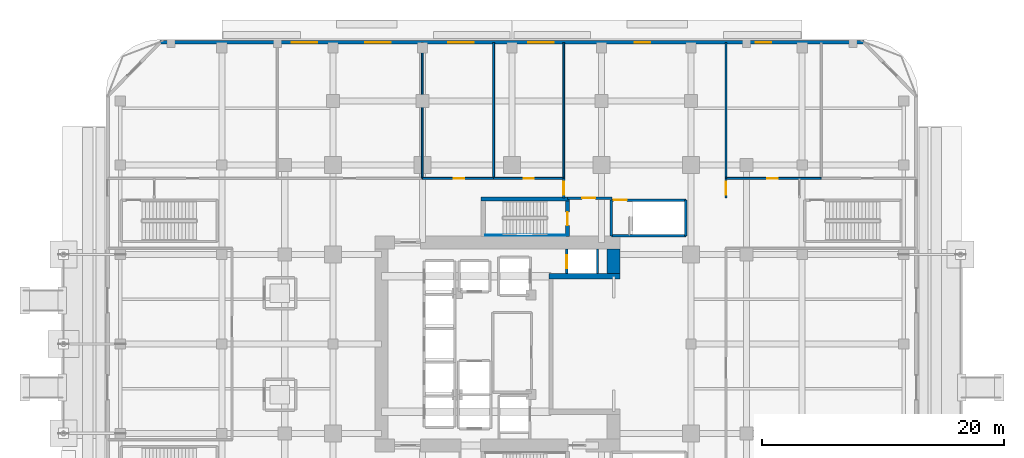
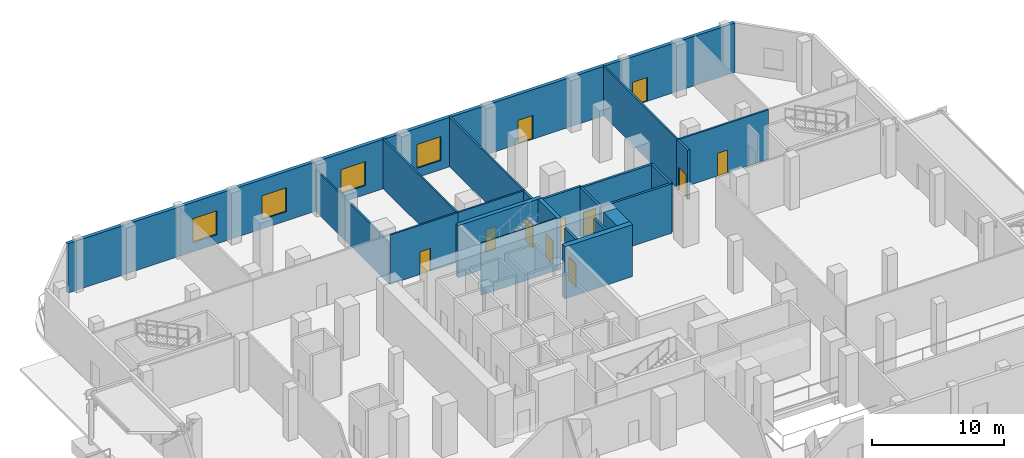
# One storey, part 16 of 24: 22 walls, 11 doors, 4 windows, 15 openings.
"""IFC4 building model written with IfcOpenShell, lengths in metres."""

import ifcopenshell
import ifcopenshell.guid

model = None  # the IFC model being written
_history = None  # IfcOwnerHistory: only IFC2X3 demands one
_inside = {}  # id of a spatial element -> (the spatial element, [elements in it])
_under = {}  # id of a project, library or spatial element -> (it, [spatial elements below it])
_declared = {}  # id of a project -> (the project, [libraries it declares])
_typed = {}  # id of a type object -> (the type object, [elements of that type])
_made_of = {}  # id of a material, layer set ... -> (it, [elements and type objects made of it])


def new_model(schema):
    """Start an empty IFC model of exactly this schema.

    Asked for "IFC4X3", IfcOpenShell would pick the latest addendum, in which some entities
    have other attributes; the version numbers below select the first issue.
    IFC2X3 requires an IfcOwnerHistory on every rooted entity: one is made here for all.
    """
    global model, _history
    if schema == "IFC4X3":
        model = ifcopenshell.file(schema_version=(4, 3, 0, 0))
    else:
        model = ifcopenshell.file(schema=schema)
    _inside.clear()
    _under.clear()
    _declared.clear()
    _typed.clear()
    _made_of.clear()
    _history = None
    if model.schema == "IFC2X3":
        org = make("IfcOrganization", Name="unknown")
        user = make(
            "IfcPersonAndOrganization",
            ThePerson=make("IfcPerson", FamilyName="unknown"),
            TheOrganization=org,
        )
        app = make(
            "IfcApplication",
            ApplicationDeveloper=org,
            Version="unknown",
            ApplicationFullName="unknown",
            ApplicationIdentifier="unknown",
        )
        _history = make(
            "IfcOwnerHistory",
            OwningUser=user,
            OwningApplication=app,
            ChangeAction="ADDED",
            CreationDate=0,
        )
    return model


def make(cls, **values):
    """One entity of the class cls with the attributes given. An attribute that is None is left unset."""
    return model.create_entity(
        cls, **{name: value for name, value in values.items() if value is not None}
    )


def rooted(cls, **values):
    """An entity with a GlobalId (a new one), such as an element, a storey or a relation."""
    return make(cls, GlobalId=ifcopenshell.guid.new(), OwnerHistory=_history, **values)


def si_unit(unit_type, name, prefix=None):
    """IfcSIUnit, for example si_unit("LENGTHUNIT", "METRE", prefix="MILLI")."""
    return make("IfcSIUnit", UnitType=unit_type, Prefix=prefix, Name=name)


def assignment(units):
    """IfcUnitAssignment: the units of a project."""
    return None if units is None else make("IfcUnitAssignment", Units=units)


def point(xyz):
    """IfcCartesianPoint."""
    return None if xyz is None else make("IfcCartesianPoint", Coordinates=xyz)


def direction(xyz):
    """IfcDirection."""
    return None if xyz is None else make("IfcDirection", DirectionRatios=xyz)


def frame(location, z_axis=None, x_axis=None):
    """IfcAxis2Placement3D, a coordinate frame: its origin and axes. An axis left out is left unset."""
    return make(
        "IfcAxis2Placement3D",
        Location=point(location),
        Axis=direction(z_axis),
        RefDirection=direction(x_axis),
    )


def frame_2d(location, x_axis=None):
    """IfcAxis2Placement2D, a coordinate frame in the plane: its origin and x axis."""
    return make(
        "IfcAxis2Placement2D", Location=point(location), RefDirection=direction(x_axis)
    )


def origin():
    """The frame at (0, 0, 0) with its axes left unset."""
    return frame((0.0, 0.0, 0.0))


def place(relative_to, where):
    """IfcLocalPlacement: puts the frame where relative to a parent placement (None: the world)."""
    return make(
        "IfcLocalPlacement", PlacementRelTo=relative_to, RelativePlacement=where
    )


def context(
    kind, dimensions, precision=None, world=None, true_north=None, identifier=None
):
    """IfcGeometricRepresentationContext, for example the 3D "Model" context."""
    return make(
        "IfcGeometricRepresentationContext",
        ContextIdentifier=identifier,
        ContextType=kind,
        CoordinateSpaceDimension=dimensions,
        Precision=precision,
        WorldCoordinateSystem=world,
        TrueNorth=true_north,
    )


def subcontext(parent, identifier, kind, view, scale=None):
    """IfcGeometricRepresentationSubContext, for example "Body" below "Model"."""
    return make(
        "IfcGeometricRepresentationSubContext",
        ContextIdentifier=identifier,
        ContextType=kind,
        ParentContext=parent,
        TargetScale=scale,
        TargetView=view,
    )


def project(units=None, contexts=None):
    """IfcProject with its units and contexts."""
    return rooted(
        "IfcProject",
        Name="project",
        RepresentationContexts=contexts,
        UnitsInContext=assignment(units),
    )


def spatial(cls, under=None, at=None, **own):
    """A site, building, storey or space (cls), placed at a placement, below another one or the project."""
    s = rooted(cls, ObjectPlacement=at, **own)
    if under is not None:
        _under.setdefault(under.id(), (under, []))[1].append(s)
    return s


def profile(cls, at=None, kind="AREA", **sizes):
    """A parametric profile (cls). Its sizes go by their IFC names, for example OverallWidth=200.0."""
    return make(cls, ProfileType=kind, Position=at, **sizes)


def rectangle(**sizes):
    """IfcRectangleProfileDef."""
    return profile("IfcRectangleProfileDef", **sizes)


def extrude(swept, where, along, depth):
    """IfcExtrudedAreaSolid: the profile swept, set in the frame where, extruded along a direction by depth."""
    return make(
        "IfcExtrudedAreaSolid",
        SweptArea=swept,
        Position=where,
        ExtrudedDirection=direction(along),
        Depth=depth,
    )


def shape(context_of_items, identifier, shape_type, items):
    """IfcShapeRepresentation: the items that make up one representation, for example the "Body"."""
    return make(
        "IfcShapeRepresentation",
        ContextOfItems=context_of_items,
        RepresentationIdentifier=identifier,
        RepresentationType=shape_type,
        Items=items,
    )


def material(Name=None, Category=None):
    """IfcMaterial."""
    return make("IfcMaterial", Name=Name, Category=Category)


def layer(
    of_material, thickness, ventilated=None, Name=None, Category=None, Priority=None
):
    """IfcMaterialLayer: one layer of a wall or slab, of a material (None: an air gap)."""
    return make(
        "IfcMaterialLayer",
        Material=of_material,
        LayerThickness=thickness,
        IsVentilated=ventilated,
        Name=Name,
        Category=Category,
        Priority=Priority,
    )


def layer_set(layers, Name=None):
    """IfcMaterialLayerSet."""
    return make("IfcMaterialLayerSet", MaterialLayers=layers, LayerSetName=Name)


def made_of(thing, what):
    """Note that an element or type object is made of a material, layer set ...; save() writes the relation."""
    if what is not None:
        _made_of.setdefault(what.id(), (what, []))[1].append(thing)
    return thing


def type_object(cls, material=None, **own):
    """A type object (cls), such as IfcWallType, which elements share."""
    return made_of(rooted(cls, **own), material)


def element(
    cls,
    number,
    at=None,
    inside=None,
    cuts=None,
    type_object=None,
    material=None,
    context=None,
    identifier="Body",
    shape_type=None,
    held_by="IfcProductDefinitionShape",
    body=None,
    shapes=None,
    **own,
):
    """One element of the class cls, such as IfcWall. Its Tag is "e" and its number.

    at: its placement. inside: the storey or other place that contains it. cuts: it is an
    opening in that element (IfcRelVoidsElement). A single representation is given by context,
    identifier, shape_type and body (its items); several are given by shapes. held_by: the class
    of the entity that holds the representations. save() writes the other relations.
    """
    e = rooted(cls, Tag="e%d" % number, ObjectPlacement=at, **own)
    if body is not None:
        shapes = [shape(context, identifier, shape_type, body)]
    if shapes is not None:
        e.Representation = make(held_by, Representations=shapes)
    if inside is not None:
        _inside.setdefault(inside.id(), (inside, []))[1].append(e)
    if cuts is not None:
        rooted(
            "IfcRelVoidsElement", RelatingBuildingElement=cuts, RelatedOpeningElement=e
        )
    if type_object is not None:
        _typed.setdefault(type_object.id(), (type_object, []))[1].append(e)
    return made_of(e, material)


def fill(opening, filler):
    """IfcRelFillsElement: the door or window that sits in an opening."""
    return rooted(
        "IfcRelFillsElement",
        RelatingOpeningElement=opening,
        RelatedBuildingElement=filler,
    )


def aggregate(whole, parts):
    """IfcRelAggregates: a whole, such as a stair, and the parts it consists of."""
    return rooted("IfcRelAggregates", RelatingObject=whole, RelatedObjects=parts)


def save(model, path):
    """Write the relations noted so far, then the file.

    IfcRelAggregates (storeys below a building ...), IfcRelContainedInSpatialStructure (elements
    in a storey), IfcRelDefinesByType, IfcRelAssociatesMaterial and IfcRelDeclares: one each for
    every whole, place, type object, material and project.
    """
    for whole, parts in _under.values():
        aggregate(whole, parts)
    for where, things in _inside.values():
        rooted(
            "IfcRelContainedInSpatialStructure",
            RelatedElements=things,
            RelatingStructure=where,
        )
    for kind, things in _typed.values():
        rooted("IfcRelDefinesByType", RelatedObjects=things, RelatingType=kind)
    for what, things in _made_of.values():
        rooted("IfcRelAssociatesMaterial", RelatedObjects=things, RelatingMaterial=what)
    for by, libraries in _declared.values():
        rooted("IfcRelDeclares", RelatingContext=by, RelatedDefinitions=libraries)
    model.write(path)


model = new_model("IFC4")

# Units and contexts
model_context = context("Model", 3, precision=1e-05, world=origin(), true_north=direction((0.0, 1.0)))
body_context = subcontext(model_context, "Body", "Model", "MODEL_VIEW")
ifc_project = project(units=[si_unit("LENGTHUNIT", "METRE"), si_unit("AREAUNIT", "SQUARE_METRE"), si_unit("VOLUMEUNIT", "CUBIC_METRE"), si_unit("PLANEANGLEUNIT", "RADIAN"), si_unit("MASSUNIT", "GRAM", prefix="KILO")], contexts=[model_context])

# Site, building, storey
site_placement = place(None, origin())
site = spatial("IfcSite", under=ifc_project, at=site_placement, CompositionType="ELEMENT")
building_placement = place(site_placement, origin())
building = spatial("IfcBuilding", under=site, at=building_placement, Name="Khorvyn Point Tower", CompositionType="ELEMENT")
storey_placement = place(building_placement, origin())
storey = spatial("IfcBuildingStorey", under=building, at=storey_placement, Name="L01", CompositionType="ELEMENT", Elevation=0.0)

# Wall
ifc_material_1 = material(Name="Concrete C40/50", Category="concrete")
ifc_layer_1 = layer(ifc_material_1, 0.449951171875)
ifc_layer_set_1 = layer_set([ifc_layer_1], Name="Concrete C40/50 Core Shear Wall 450")
wall_type_1 = type_object("IfcWallType", Name="Concrete C40/50 Core Shear Wall 450", PredefinedType="SHEAR", material=ifc_layer_set_1)
wall_1_placement = place(storey_placement, frame((3.044921875, 5.60009765625, 0.0), z_axis=(0.0, 0.0, 1.0), x_axis=(1.0, 0.0, 0.0)))
element("IfcWall", 1, at=wall_1_placement, inside=storey, type_object=wall_type_1, Name="Wall", PredefinedType="SHEAR", context=body_context, shape_type="SweptSolid", body=[
    extrude(rectangle(XDim=5.905029296875, YDim=0.449951171875, at=frame_2d((2.95263671875, 0.0))), origin(), (0.0, 0.0, 1.0), 4.800048828125),
])

# Wall, opening, door
ifc_layer_2 = layer(ifc_material_1, 0.199951171875)
ifc_layer_set_2 = layer_set([ifc_layer_2], Name="Concrete C40/50 Fire-Lobby Compartment Wall 200")
wall_type_2 = type_object("IfcWallType", Name="Concrete C40/50 Fire-Lobby Compartment Wall 200", PredefinedType="SOLIDWALL", material=ifc_layer_set_2)
wall_2_placement = place(storey_placement, frame((4.580078125, 12.06005859375, 0.0), z_axis=(0.0, 0.0, 1.0), x_axis=(1.0, 0.0, 0.0)))
wall_2 = element("IfcWall", 2, at=wall_2_placement, inside=storey, type_object=wall_type_2, Name="Wall", PredefinedType="SOLIDWALL", context=body_context, shape_type="SweptSolid", body=[
    extrude(rectangle(XDim=3.699951171875, YDim=0.199951171875, at=frame_2d((1.85009765625, 0.0))), origin(), (0.0, 0.0, 1.0), 4.56005859375),
])
opening_1_placement = place(wall_2_placement, frame((1.21240234375, 0.0, 0.0)))
opening_1 = element("IfcOpeningElement", 3, at=opening_1_placement, cuts=wall_2, Name="Opening ID-FL90", PredefinedType="OPENING", context=body_context, shape_type="SweptSolid", body=[
    extrude(rectangle(XDim=1.10009765625, YDim=2.14990234375, at=frame_2d((0.550048828125, 1.074951171875))), frame((0.0, 0.10986328125, 0.0), z_axis=(0.0, -1.0, 0.0), x_axis=(1.0, 0.0, 0.0)), (0.0, 0.0, 1.0), 0.219970703125),
])
ifc_material_2 = material(Name="Galvanised powder-coated steel", Category="steel")
door_type_1 = type_object("IfcDoorType", Name="Fire-Rated Steel Lobby and Stair Door 1100x2150", OperationType="NOTDEFINED", PredefinedType="DOOR", material=ifc_material_2)
door_1_placement = place(opening_1_placement, origin())
door_1 = element("IfcDoor", 4, at=door_1_placement, inside=storey, type_object=door_type_1, Name="Door", OperationType="SINGLE_SWING_RIGHT", OverallHeight=2.14990234375, OverallWidth=1.10009765625, PredefinedType="DOOR", context=body_context, shape_type="SweptSolid", body=[
    extrude(rectangle(XDim=1.10009765625, YDim=2.14990234375, at=frame_2d((0.550048828125, 1.074951171875))), frame((0.0, 0.02490234375, 0.0), z_axis=(0.0, -1.0, 0.0), x_axis=(1.0, 0.0, 0.0)), (0.0, 0.0, 1.0), 0.050048828125),
])
fill(opening_1, door_1)

wall_3_placement = place(storey_placement, frame((4.280029296875, 12.06005859375, 0.0), z_axis=(0.0, 0.0, 1.0), x_axis=(0.0, 1.0, 0.0)))
wall_3 = element("IfcWall", 5, at=wall_3_placement, inside=storey, type_object=wall_type_2, Name="Wall", PredefinedType="SOLIDWALL", context=body_context, shape_type="SweptSolid", body=[
    extrude(rectangle(XDim=1.639892578125, YDim=0.199951171875, at=frame_2d((0.81982421875, 0.0))), origin(), (0.0, 0.0, 1.0), 4.56005859375),
])
opening_2_placement = place(wall_3_placement, frame((0.27001953125, 0.0, 0.0)))
opening_2 = element("IfcOpeningElement", 6, at=opening_2_placement, cuts=wall_3, Name="Opening ID-FL90", PredefinedType="OPENING", context=body_context, shape_type="SweptSolid", body=[
    extrude(rectangle(XDim=1.10009765625, YDim=2.14990234375, at=frame_2d((0.550048828125, 1.074951171875))), frame((0.0, 0.10986328125, 0.0), z_axis=(0.0, -1.0, 0.0), x_axis=(1.0, 0.0, 0.0)), (0.0, 0.0, 1.0), 0.219970703125),
])
door_2_placement = place(opening_2_placement, origin())
door_2 = element("IfcDoor", 7, at=door_2_placement, inside=storey, type_object=door_type_1, Name="Door", OperationType="SINGLE_SWING_RIGHT", OverallHeight=2.14990234375, OverallWidth=1.10009765625, PredefinedType="DOOR", context=body_context, shape_type="SweptSolid", body=[
    extrude(rectangle(XDim=1.10009765625, YDim=2.14990234375, at=frame_2d((0.550048828125, 1.074951171875))), frame((0.0, 0.02490234375, 0.0), z_axis=(0.0, -1.0, 0.0), x_axis=(1.0, 0.0, 0.0)), (0.0, 0.0, 1.0), 0.050048828125),
])
fill(opening_2, door_2)

wall_4_placement = place(storey_placement, frame((17.699951171875, 12.06005859375, 0.0), z_axis=(0.0, 0.0, 1.0), x_axis=(0.0, 1.0, 0.0)))
wall_4 = element("IfcWall", 8, at=wall_4_placement, inside=storey, type_object=wall_type_2, Name="Wall", PredefinedType="SOLIDWALL", context=body_context, shape_type="SweptSolid", body=[
    extrude(rectangle(XDim=1.639892578125, YDim=0.199951171875, at=frame_2d((0.81982421875, 0.0))), origin(), (0.0, 0.0, 1.0), 4.56005859375),
])
opening_3_placement = place(wall_4_placement, frame((0.27001953125, 0.0, 0.0)))
opening_3 = element("IfcOpeningElement", 9, at=opening_3_placement, cuts=wall_4, Name="Opening ID-FL90", PredefinedType="OPENING", context=body_context, shape_type="SweptSolid", body=[
    extrude(rectangle(XDim=1.10009765625, YDim=2.14990234375, at=frame_2d((0.550048828125, 1.074951171875))), frame((0.0, 0.10986328125, 0.0), z_axis=(0.0, -1.0, 0.0), x_axis=(1.0, 0.0, 0.0)), (0.0, 0.0, 1.0), 0.219970703125),
])
door_3_placement = place(opening_3_placement, origin())
door_3 = element("IfcDoor", 10, at=door_3_placement, inside=storey, type_object=door_type_1, Name="Door", OperationType="SINGLE_SWING_LEFT", OverallHeight=2.14990234375, OverallWidth=1.10009765625, PredefinedType="DOOR", context=body_context, shape_type="SweptSolid", body=[
    extrude(rectangle(XDim=1.10009765625, YDim=2.14990234375, at=frame_2d((0.550048828125, 1.074951171875))), frame((0.0, 0.02490234375, 0.0), z_axis=(0.0, -1.0, 0.0), x_axis=(1.0, 0.0, 0.0)), (0.0, 0.0, 1.0), 0.050048828125),
])
fill(opening_3, door_3)

# Walls
ifc_layer_3 = layer(ifc_material_1, 0.25)
ifc_layer_set_3 = layer_set([ifc_layer_3], Name="Concrete C40/50 Stair Inner Cheek Structural Wall 250")
wall_type_3 = type_object("IfcWallType", Name="Concrete C40/50 Stair Inner Cheek Structural Wall 250", PredefinedType="SHEAR", material=ifc_layer_set_3)
wall_5_placement = place(storey_placement, frame((-2.199951171875, 8.987548828125, 0.0), z_axis=(0.0, 0.0, 1.0), x_axis=(1.0, 0.0, 0.0)))
element("IfcWall", 11, at=wall_5_placement, inside=storey, type_object=wall_type_3, Name="Wall", PredefinedType="SHEAR", context=body_context, shape_type="SweptSolid", body=[
    extrude(rectangle(XDim=6.599853515625, YDim=0.074951171875, at=frame_2d((3.2998046875, 0.0))), origin(), (0.0, 0.0, 1.0), 4.800048828125),
])
ifc_layer_4 = layer(ifc_material_1, 0.35009765625)
ifc_layer_set_4 = layer_set([ifc_layer_4], Name="Concrete C40/50 Stair Shaft Structural Wall 350")
wall_type_4 = type_object("IfcWallType", Name="Concrete C40/50 Stair Shaft Structural Wall 350", PredefinedType="SHEAR", material=ifc_layer_set_4)
wall_6_placement = place(storey_placement, frame((-2.554931640625, 12.0, 0.0), z_axis=(0.0, 0.0, 1.0), x_axis=(1.0, 0.0, 0.0)))
element("IfcWall", 12, at=wall_6_placement, inside=storey, type_object=wall_type_4, Name="L01 ST-02 North Shaft Wall", PredefinedType="SHEAR", context=body_context, shape_type="SweptSolid", body=[
    extrude(rectangle(XDim=7.309814453125, YDim=0.35009765625, at=frame_2d((3.65478515625, 0.0))), origin(), (0.0, 0.0, 1.0), 4.800048828125),
])

# Wall, opening, door
wall_7_placement = place(storey_placement, frame((4.580078125, 11.824951171875, 0.0), z_axis=(0.0, 0.0, 1.0), x_axis=(0.0, -1.0, 0.0)))
wall_7 = element("IfcWall", 13, at=wall_7_placement, inside=storey, type_object=wall_type_4, Name="L01 ST-02 East Landing Door Wall", PredefinedType="SHEAR", context=body_context, shape_type="SweptSolid", body=[
    extrude(rectangle(XDim=2.925048828125, YDim=0.35009765625, at=frame_2d((1.46240234375, 0.0))), origin(), (0.0, 0.0, 1.0), 4.800048828125),
])
opening_4_placement = place(wall_7_placement, frame((0.91259765625, 0.0, 0.0)))
opening_4 = element("IfcOpeningElement", 14, at=opening_4_placement, cuts=wall_7, Name="Opening ID-FL90", PredefinedType="OPENING", context=body_context, shape_type="SweptSolid", body=[
    extrude(rectangle(XDim=1.10009765625, YDim=2.14990234375, at=frame_2d((0.550048828125, 1.074951171875))), frame((0.0, 0.18505859375, 0.0), z_axis=(0.0, -1.0, 0.0), x_axis=(1.0, 0.0, 0.0)), (0.0, 0.0, 1.0), 0.3701171875),
])
door_4_placement = place(opening_4_placement, origin())
door_4 = element("IfcDoor", 15, at=door_4_placement, inside=storey, type_object=door_type_1, Name="L01 ST-02 Smokeproof Landing Door", OperationType="SINGLE_SWING_RIGHT", OverallHeight=2.14990234375, OverallWidth=1.10009765625, PredefinedType="DOOR", context=body_context, shape_type="SweptSolid", body=[
    extrude(rectangle(XDim=1.10009765625, YDim=2.14990234375, at=frame_2d((0.550048828125, 1.074951171875))), frame((0.0, 0.02490234375, 0.0), z_axis=(0.0, -1.0, 0.0), x_axis=(1.0, 0.0, 0.0)), (0.0, 0.0, 1.0), 0.050048828125),
])
fill(opening_4, door_4)

ifc_layer_5 = layer(ifc_material_1, 0.199951171875)
ifc_layer_set_5 = layer_set([ifc_layer_5], Name="Concrete C40/50 Structural Hoistway and Stair Shaft Wall 200")
wall_type_5 = type_object("IfcWallType", Name="Concrete C40/50 Structural Hoistway and Stair Shaft Wall 200", PredefinedType="SHEAR", material=ifc_layer_set_5)
wall_8_placement = place(storey_placement, frame((4.52490234375, 5.824951171875, 0.0), z_axis=(0.0, 0.0, 1.0), x_axis=(0.0, 1.0, 0.0)))
wall_8 = element("IfcWall", 16, at=wall_8_placement, inside=storey, type_object=wall_type_5, Name="Wall", PredefinedType="SHEAR", context=body_context, shape_type="SweptSolid", body=[
    extrude(rectangle(XDim=2.025146484375, YDim=0.199951171875, at=frame_2d((1.0126953125, 0.0))), origin(), (0.0, 0.0, 1.0), 4.56005859375),
])
opening_5_placement = place(wall_8_placement, frame((0.425048828125, 0.0, 0.0)))
opening_5 = element("IfcOpeningElement", 17, at=opening_5_placement, cuts=wall_8, Name="Opening LD-1122", PredefinedType="OPENING", context=body_context, shape_type="SweptSolid", body=[
    extrude(rectangle(XDim=1.10009765625, YDim=2.199951171875, at=frame_2d((0.550048828125, 1.10009765625))), frame((0.0, 0.10986328125, 0.0), z_axis=(0.0, -1.0, 0.0), x_axis=(1.0, 0.0, 0.0)), (0.0, 0.0, 1.0), 0.219970703125),
])
ifc_material_3 = material(Name="Stainless steel 1.4301", Category="steel")
door_type_2 = type_object("IfcDoorType", Name="Stainless Steel Automatic Sliding Lift Landing Door 1100x2200", OperationType="SLIDING_TO_LEFT", PredefinedType="DOOR", material=ifc_material_3)
door_5_placement = place(opening_5_placement, origin())
door_5 = element("IfcDoor", 18, at=door_5_placement, inside=storey, type_object=door_type_2, Name="L01 FF-02 Sliding Lift Landing Door", OperationType="SLIDING_TO_LEFT", OverallHeight=2.199951171875, OverallWidth=1.10009765625, PredefinedType="DOOR", context=body_context, shape_type="SweptSolid", body=[
    extrude(rectangle(XDim=1.10009765625, YDim=2.199951171875, at=frame_2d((0.550048828125, 1.10009765625))), frame((0.0, 0.02490234375, 0.0), z_axis=(0.0, -1.0, 0.0), x_axis=(1.0, 0.0, 0.0)), (0.0, 0.0, 1.0), 0.050048828125),
])
fill(opening_5, door_5)

# Walls
wall_9_placement = place(storey_placement, frame((7.074951171875, 5.824951171875, 0.0), z_axis=(0.0, 0.0, 1.0), x_axis=(0.0, 1.0, 0.0)))
element("IfcWall", 19, at=wall_9_placement, inside=storey, type_object=wall_type_5, Name="Wall", PredefinedType="SHEAR", context=body_context, shape_type="SweptSolid", body=[
    extrude(rectangle(XDim=2.025146484375, YDim=0.199951171875, at=frame_2d((1.0126953125, 0.0))), origin(), (0.0, 0.0, 1.0), 4.56005859375),
])
for number, where, z_axis, x_axis, name in (
    (20, (8.219970703125, 8.93994140625, 0.0), (0.0, 0.0, 1.0), (0.0, 1.0, 0.0), "Wall"),
    (21, (14.3798828125, 11.89990234375, 0.0), (0.0, 0.0, 1.0), (0.0, -1.0, 0.0), "Wall"),
):
    element("IfcWall", number, at=place(storey_placement, frame(where, z_axis=z_axis, x_axis=x_axis)), inside=storey, type_object=wall_type_5, Name=name, PredefinedType="SHEAR", context=body_context, shape_type="SweptSolid", body=[
        extrude(rectangle(XDim=2.9599609375, YDim=0.199951171875, at=frame_2d((1.47998046875, 0.0))), origin(), (0.0, 0.0, 1.0), 4.56005859375),
    ])
wall_10_placement = place(storey_placement, frame((14.3798828125, 8.93994140625, 0.0), z_axis=(0.0, 0.0, 1.0), x_axis=(-1.0, 0.0, 0.0)))
element("IfcWall", 22, at=wall_10_placement, inside=storey, type_object=wall_type_5, Name="Wall", PredefinedType="SHEAR", context=body_context, shape_type="SweptSolid", body=[
    extrude(rectangle(XDim=6.159912109375, YDim=0.199951171875, at=frame_2d((3.080078125, 0.0))), origin(), (0.0, 0.0, 1.0), 4.56005859375),
])

# Wall, opening, door
wall_11_placement = place(storey_placement, frame((8.219970703125, 11.89990234375, 0.0), z_axis=(0.0, 0.0, 1.0), x_axis=(1.0, 0.0, 0.0)))
wall_11 = element("IfcWall", 23, at=wall_11_placement, inside=storey, type_object=wall_type_5, Name="Wall", PredefinedType="SHEAR", context=body_context, shape_type="SweptSolid", body=[
    extrude(rectangle(XDim=6.159912109375, YDim=0.199951171875, at=frame_2d((3.080078125, 0.0))), origin(), (0.0, 0.0, 1.0), 4.56005859375),
])
opening_6_placement = place(wall_11_placement, frame((0.179931640625, 0.0, 0.0)))
opening_6 = element("IfcOpeningElement", 24, at=opening_6_placement, cuts=wall_11, Name="Opening ID-FL90", PredefinedType="OPENING", context=body_context, shape_type="SweptSolid", body=[
    extrude(rectangle(XDim=1.10009765625, YDim=2.14990234375, at=frame_2d((0.550048828125, 1.074951171875))), frame((0.0, 0.10986328125, 0.0), z_axis=(0.0, -1.0, 0.0), x_axis=(1.0, 0.0, 0.0)), (0.0, 0.0, 1.0), 0.219970703125),
])
door_6_placement = place(opening_6_placement, origin())
door_6 = element("IfcDoor", 25, at=door_6_placement, inside=storey, type_object=door_type_1, Name="L01 ST-B2 Smokeproof Landing Door", OperationType="SINGLE_SWING_RIGHT", OverallHeight=2.14990234375, OverallWidth=1.10009765625, PredefinedType="DOOR", context=body_context, shape_type="SweptSolid", body=[
    extrude(rectangle(XDim=1.10009765625, YDim=2.14990234375, at=frame_2d((0.550048828125, 1.074951171875))), frame((0.0, 0.02490234375, 0.0), z_axis=(0.0, -1.0, 0.0), x_axis=(1.0, 0.0, 0.0)), (0.0, 0.0, 1.0), 0.050048828125),
])
fill(opening_6, door_6)

# Wall
ifc_material_4 = material(Name="Concrete C50/60", Category="concrete")
ifc_layer_6 = layer(ifc_material_4, 1.10009765625)
ifc_layer_set_6 = layer_set([ifc_layer_6], Name="Concrete C50/60 Core Shear Wall 1100")
wall_type_6 = type_object("IfcWallType", Name="Concrete C50/60 Core Shear Wall 1100", PredefinedType="SHEAR", material=ifc_layer_set_6)
wall_12_placement = place(storey_placement, frame((8.39990234375, 5.824951171875, 0.0), z_axis=(0.0, 0.0, 1.0), x_axis=(0.0, 1.0, 0.0)))
element("IfcWall", 26, at=wall_12_placement, inside=storey, type_object=wall_type_6, Name="Wall", PredefinedType="SHEAR", context=body_context, shape_type="SweptSolid", body=[
    extrude(rectangle(XDim=2.025146484375, YDim=1.10009765625, at=frame_2d((1.0126953125, 0.0))), origin(), (0.0, 0.0, 1.0), 4.800048828125),
])

# Wall, opening, door
ifc_material_5 = material(Name="Moisture-resistant gypsum and cement board", Category="gypsum")
ifc_layer_7 = layer(ifc_material_5, 0.14990234375)
ifc_layer_set_7 = layer_set([ifc_layer_7], Name="Moisture-Resistant Wet-Room Partition Wall 150")
wall_type_7 = type_object("IfcWallType", Name="Moisture-Resistant Wet-Room Partition Wall 150", PredefinedType="PARTITIONING", material=ifc_layer_set_7)
wall_13_placement = place(storey_placement, frame((-7.419921875, 13.699951171875, 0.0), z_axis=(0.0, 0.0, 1.0), x_axis=(1.0, 0.0, 0.0)))
wall_13 = element("IfcWall", 27, at=wall_13_placement, inside=storey, type_object=wall_type_7, Name="Wall", PredefinedType="PARTITIONING", context=body_context, shape_type="SweptSolid", body=[
    extrude(rectangle(XDim=5.89990234375, YDim=0.14990234375, at=frame_2d((2.949951171875, 0.0))), origin(), (0.0, 0.0, 1.0), 4.56005859375),
])
opening_7_placement = place(wall_13_placement, frame((2.586669921875, 0.0, 0.0)))
opening_7 = element("IfcOpeningElement", 28, at=opening_7_placement, cuts=wall_13, Name="Opening ID-RM90", PredefinedType="OPENING", context=body_context, shape_type="SweptSolid", body=[
    extrude(rectangle(XDim=0.89990234375, YDim=2.10009765625, at=frame_2d((0.449951171875, 1.050048828125))), frame((0.0, 0.0849609375, 0.0), z_axis=(0.0, -1.0, 0.0), x_axis=(1.0, 0.0, 0.0)), (0.0, 0.0, 1.0), 0.169921875),
])
ifc_material_6 = material(Name="Engineered oak veneer timber", Category="wood")
door_type_3 = type_object("IfcDoorType", Name="Flush Engineered Timber Room Door 900x2100", OperationType="NOTDEFINED", PredefinedType="DOOR", material=ifc_material_6)
door_7_placement = place(opening_7_placement, origin())
door_7 = element("IfcDoor", 29, at=door_7_placement, inside=storey, type_object=door_type_3, Name="Door", OperationType="SINGLE_SWING_RIGHT", OverallHeight=2.10009765625, OverallWidth=0.89990234375, PredefinedType="DOOR", context=body_context, shape_type="SweptSolid", body=[
    extrude(rectangle(XDim=0.89990234375, YDim=2.10009765625, at=frame_2d((0.449951171875, 1.050048828125))), frame((0.0, 0.02490234375, 0.0), z_axis=(0.0, -1.0, 0.0), x_axis=(1.0, 0.0, 0.0)), (0.0, 0.0, 1.0), 0.050048828125),
])
fill(opening_7, door_7)

wall_14_placement = place(storey_placement, frame((-1.52001953125, 13.699951171875, 0.0), z_axis=(0.0, 0.0, 1.0), x_axis=(1.0, 0.0, 0.0)))
wall_14 = element("IfcWall", 30, at=wall_14_placement, inside=storey, type_object=wall_type_7, Name="Wall", PredefinedType="PARTITIONING", context=body_context, shape_type="SweptSolid", body=[
    extrude(rectangle(XDim=5.800048828125, YDim=0.14990234375, at=frame_2d((2.89990234375, 0.0))), origin(), (0.0, 0.0, 1.0), 4.56005859375),
])
opening_8_placement = place(wall_14_placement, frame((2.47509765625, 0.0, 0.0)))
opening_8 = element("IfcOpeningElement", 31, at=opening_8_placement, cuts=wall_14, Name="Opening ID-WC85", PredefinedType="OPENING", context=body_context, shape_type="SweptSolid", body=[
    extrude(rectangle(XDim=0.85009765625, YDim=2.10009765625, at=frame_2d((0.425048828125, 1.050048828125))), frame((0.0, 0.0849609375, 0.0), z_axis=(0.0, -1.0, 0.0), x_axis=(1.0, 0.0, 0.0)), (0.0, 0.0, 1.0), 0.169921875),
])
ifc_material_7 = material(Name="High-pressure laminate on moisture-resistant core", Category="wood")
door_type_4 = type_object("IfcDoorType", Name="Moisture-Resistant Accessible Washroom Door 850x2100", OperationType="NOTDEFINED", PredefinedType="DOOR", material=ifc_material_7)
door_8_placement = place(opening_8_placement, origin())
door_8 = element("IfcDoor", 32, at=door_8_placement, inside=storey, type_object=door_type_4, Name="Door", OperationType="SINGLE_SWING_LEFT", OverallHeight=2.10009765625, OverallWidth=0.85009765625, PredefinedType="DOOR", context=body_context, shape_type="SweptSolid", body=[
    extrude(rectangle(XDim=0.85009765625, YDim=2.10009765625, at=frame_2d((0.425048828125, 1.050048828125))), frame((0.0, 0.02490234375, 0.0), z_axis=(0.0, -1.0, 0.0), x_axis=(1.0, 0.0, 0.0)), (0.0, 0.0, 1.0), 0.050048828125),
])
fill(opening_8, door_8)

wall_15_placement = place(storey_placement, frame((17.699951171875, 13.699951171875, 0.0), z_axis=(0.0, 0.0, 1.0), x_axis=(1.0, 0.0, 0.0)))
wall_15 = element("IfcWall", 33, at=wall_15_placement, inside=storey, type_object=wall_type_7, Name="Wall", PredefinedType="PARTITIONING", context=body_context, shape_type="SweptSolid", body=[
    extrude(rectangle(XDim=7.880126953125, YDim=0.14990234375, at=frame_2d((3.93994140625, 0.0))), origin(), (0.0, 0.0, 1.0), 4.56005859375),
])
opening_9_placement = place(wall_15_placement, frame((3.39990234375, 0.0, 0.0)))
opening_9 = element("IfcOpeningElement", 34, at=opening_9_placement, cuts=wall_15, Name="Opening ID-RM90", PredefinedType="OPENING", context=body_context, shape_type="SweptSolid", body=[
    extrude(rectangle(XDim=0.89990234375, YDim=2.10009765625, at=frame_2d((0.449951171875, 1.050048828125))), frame((0.0, 0.0849609375, 0.0), z_axis=(0.0, -1.0, 0.0), x_axis=(1.0, 0.0, 0.0)), (0.0, 0.0, 1.0), 0.169921875),
])
door_9_placement = place(opening_9_placement, origin())
door_9 = element("IfcDoor", 35, at=door_9_placement, inside=storey, type_object=door_type_3, Name="Door", OperationType="SINGLE_SWING_RIGHT", OverallHeight=2.10009765625, OverallWidth=0.89990234375, PredefinedType="DOOR", context=body_context, shape_type="SweptSolid", body=[
    extrude(rectangle(XDim=0.89990234375, YDim=2.10009765625, at=frame_2d((0.449951171875, 1.050048828125))), frame((0.0, 0.02490234375, 0.0), z_axis=(0.0, -1.0, 0.0), x_axis=(1.0, 0.0, 0.0)), (0.0, 0.0, 1.0), 0.050048828125),
])
fill(opening_9, door_9)

# Walls
wall_16_placement = place(storey_placement, frame((-7.419921875, 13.699951171875, 0.0), z_axis=(0.0, 0.0, 1.0), x_axis=(0.0, 1.0, 0.0)))
element("IfcWall", 36, at=wall_16_placement, inside=storey, type_object=wall_type_7, Name="Wall", PredefinedType="PARTITIONING", context=body_context, shape_type="SweptSolid", body=[
    extrude(rectangle(XDim=11.219970703125, YDim=0.14990234375, at=frame_2d((5.60986328125, 0.0))), origin(), (0.0, 0.0, 1.0), 3.85009765625),
])
for number, where, z_axis, x_axis, name in (
    (37, (-1.52001953125, 13.699951171875, 0.0), (0.0, 0.0, 1.0), (0.0, 1.0, 0.0), "Wall"),
    (38, (4.280029296875, 13.699951171875, 0.0), (0.0, 0.0, 1.0), (0.0, 1.0, 0.0), "Wall"),
    (39, (17.699951171875, 13.699951171875, 0.0), (0.0, 0.0, 1.0), (0.0, 1.0, 0.0), "Wall"),
):
    element("IfcWall", number, at=place(storey_placement, frame(where, z_axis=z_axis, x_axis=x_axis)), inside=storey, type_object=wall_type_7, Name=name, PredefinedType="PARTITIONING", context=body_context, shape_type="SweptSolid", body=[
        extrude(rectangle(XDim=11.219970703125, YDim=0.14990234375, at=frame_2d((5.60986328125, 0.0))), origin(), (0.0, 0.0, 1.0), 4.56005859375),
    ])

# Wall, openings, windows, doors
ifc_material_8 = material(Name="Precast concrete C35/45", Category="concrete")
ifc_layer_8 = layer(ifc_material_8, 0.300048828125)
ifc_layer_set_8 = layer_set([ifc_layer_8], Name="Precast Concrete C35/45 Insulated Podium Facade Wall 300")
wall_type_8 = type_object("IfcWallType", Name="Precast Concrete C35/45 Insulated Podium Facade Wall 300", PredefinedType="SOLIDWALL", material=ifc_layer_set_8)
wall_17_placement = place(storey_placement, frame((-29.10009765625, 24.949951171875, 0.0), z_axis=(0.0, 0.0, 1.0), x_axis=(1.0, 0.0, 0.0)))
wall_17 = element("IfcWall", 40, at=wall_17_placement, inside=storey, type_object=wall_type_8, Name="L01 North Podium Facade Wall", PredefinedType="SOLIDWALL", context=body_context, shape_type="SweptSolid", body=[
    extrude(rectangle(XDim=58.2001953125, YDim=0.300048828125, at=frame_2d((29.10009765625, 0.0))), origin(), (0.0, 0.0, 1.0), 4.56005859375),
])
opening_10_placement = place(wall_17_placement, frame((10.89990234375, 0.0, 0.85009765625)))
opening_10 = element("IfcOpeningElement", 41, at=opening_10_placement, cuts=wall_17, Name="Opening WN-2122", PredefinedType="OPENING", context=body_context, shape_type="SweptSolid", body=[
    extrude(rectangle(XDim=2.10009765625, YDim=2.199951171875, at=frame_2d((1.050048828125, 1.10009765625))), frame((0.0, 0.159912109375, 0.0), z_axis=(0.0, -1.0, 0.0), x_axis=(1.0, 0.0, 0.0)), (0.0, 0.0, 1.0), 0.320068359375),
])
opening_11_placement = place(wall_17_placement, frame((16.949951171875, 0.0, 0.85009765625)))
opening_11 = element("IfcOpeningElement", 42, at=opening_11_placement, cuts=wall_17, Name="Opening WN-2122", PredefinedType="OPENING", context=body_context, shape_type="SweptSolid", body=[
    extrude(rectangle(XDim=2.10009765625, YDim=2.199951171875, at=frame_2d((1.050048828125, 1.10009765625))), frame((0.0, 0.159912109375, 0.0), z_axis=(0.0, -1.0, 0.0), x_axis=(1.0, 0.0, 0.0)), (0.0, 0.0, 1.0), 0.320068359375),
])
opening_12_placement = place(wall_17_placement, frame((23.840087890625, 0.0, 0.85009765625)))
opening_12 = element("IfcOpeningElement", 43, at=opening_12_placement, cuts=wall_17, Name="Opening WN-2122", PredefinedType="OPENING", context=body_context, shape_type="SweptSolid", body=[
    extrude(rectangle(XDim=2.10009765625, YDim=2.199951171875, at=frame_2d((1.050048828125, 1.10009765625))), frame((0.0, 0.159912109375, 0.0), z_axis=(0.0, -1.0, 0.0), x_axis=(1.0, 0.0, 0.0)), (0.0, 0.0, 1.0), 0.320068359375),
])
opening_13_placement = place(wall_17_placement, frame((30.43994140625, 0.0, 0.85009765625)))
opening_13 = element("IfcOpeningElement", 44, at=opening_13_placement, cuts=wall_17, Name="Opening WN-2122", PredefinedType="OPENING", context=body_context, shape_type="SweptSolid", body=[
    extrude(rectangle(XDim=2.10009765625, YDim=2.199951171875, at=frame_2d((1.050048828125, 1.10009765625))), frame((0.0, 0.159912109375, 0.0), z_axis=(0.0, -1.0, 0.0), x_axis=(1.0, 0.0, 0.0)), (0.0, 0.0, 1.0), 0.320068359375),
])
opening_14_placement = place(wall_17_placement, frame((39.25, 0.0, 0.0)))
opening_14 = element("IfcOpeningElement", 45, at=opening_14_placement, cuts=wall_17, Name="Opening ED-1322", PredefinedType="OPENING", context=body_context, shape_type="SweptSolid", body=[
    extrude(rectangle(XDim=1.300048828125, YDim=2.199951171875, at=frame_2d((0.64990234375, 1.10009765625))), frame((0.0, 0.159912109375, 0.0), z_axis=(0.0, -1.0, 0.0), x_axis=(1.0, 0.0, 0.0)), (0.0, 0.0, 1.0), 0.320068359375),
])
opening_15_placement = place(wall_17_placement, frame((49.25, 0.0, 0.0)))
opening_15 = element("IfcOpeningElement", 46, at=opening_15_placement, cuts=wall_17, Name="Opening ED-1322", PredefinedType="OPENING", context=body_context, shape_type="SweptSolid", body=[
    extrude(rectangle(XDim=1.300048828125, YDim=2.199951171875, at=frame_2d((0.64990234375, 1.10009765625))), frame((0.0, 0.159912109375, 0.0), z_axis=(0.0, -1.0, 0.0), x_axis=(1.0, 0.0, 0.0)), (0.0, 0.0, 1.0), 0.320068359375),
])
ifc_material_9 = material(Name="Anodised aluminium 6063-T6 and laminated Low-E glass", Category="aluminium")
window_type = type_object("IfcWindowType", Name="Anodised Aluminium School Classroom Daylight Window 2100x2200", PartitioningType="TRIPLE_PANEL_HORIZONTAL", PredefinedType="WINDOW", material=ifc_material_9)
window_1_placement = place(opening_10_placement, origin())
window_1 = element("IfcWindow", 47, at=window_1_placement, inside=storey, type_object=window_type, Name="L01 North Classroom Daylight Window N1", OverallHeight=2.199951171875, OverallWidth=2.10009765625, PartitioningType="SINGLE_PANEL", PredefinedType="WINDOW", context=body_context, shape_type="SweptSolid", body=[
    extrude(rectangle(XDim=2.10009765625, YDim=2.199951171875, at=frame_2d((1.050048828125, 1.10009765625))), frame((0.0, 0.030029296875, 0.0), z_axis=(0.0, -1.0, 0.0), x_axis=(1.0, 0.0, 0.0)), (0.0, 0.0, 1.0), 0.06005859375),
])
fill(opening_10, window_1)
window_2_placement = place(opening_11_placement, origin())
window_2 = element("IfcWindow", 48, at=window_2_placement, inside=storey, type_object=window_type, Name="L01 North Classroom Daylight Window N2", OverallHeight=2.199951171875, OverallWidth=2.10009765625, PartitioningType="SINGLE_PANEL", PredefinedType="WINDOW", context=body_context, shape_type="SweptSolid", body=[
    extrude(rectangle(XDim=2.10009765625, YDim=2.199951171875, at=frame_2d((1.050048828125, 1.10009765625))), frame((0.0, 0.030029296875, 0.0), z_axis=(0.0, -1.0, 0.0), x_axis=(1.0, 0.0, 0.0)), (0.0, 0.0, 1.0), 0.06005859375),
])
fill(opening_11, window_2)
window_3_placement = place(opening_12_placement, origin())
window_3 = element("IfcWindow", 49, at=window_3_placement, inside=storey, type_object=window_type, Name="L01 North Classroom Daylight Window N3", OverallHeight=2.199951171875, OverallWidth=2.10009765625, PartitioningType="SINGLE_PANEL", PredefinedType="WINDOW", context=body_context, shape_type="SweptSolid", body=[
    extrude(rectangle(XDim=2.10009765625, YDim=2.199951171875, at=frame_2d((1.050048828125, 1.10009765625))), frame((0.0, 0.030029296875, 0.0), z_axis=(0.0, -1.0, 0.0), x_axis=(1.0, 0.0, 0.0)), (0.0, 0.0, 1.0), 0.06005859375),
])
fill(opening_12, window_3)
window_4_placement = place(opening_13_placement, origin())
window_4 = element("IfcWindow", 50, at=window_4_placement, inside=storey, type_object=window_type, Name="L01 North Classroom Daylight Window N4", OverallHeight=2.199951171875, OverallWidth=2.10009765625, PartitioningType="SINGLE_PANEL", PredefinedType="WINDOW", context=body_context, shape_type="SweptSolid", body=[
    extrude(rectangle(XDim=2.10009765625, YDim=2.199951171875, at=frame_2d((1.050048828125, 1.10009765625))), frame((0.0, 0.030029296875, 0.0), z_axis=(0.0, -1.0, 0.0), x_axis=(1.0, 0.0, 0.0)), (0.0, 0.0, 1.0), 0.06005859375),
])
fill(opening_13, window_4)
door_type_5 = type_object("IfcDoorType", Name="Fire-Exit Steel Discharge Swing Door 1300x2200", OperationType="NOTDEFINED", PredefinedType="DOOR", material=ifc_material_2)
door_10_placement = place(opening_14_placement, origin())
door_10 = element("IfcDoor", 51, at=door_10_placement, inside=storey, type_object=door_type_5, Name="L01 North Protected Stair Exit Discharge Door", OperationType="SINGLE_SWING_RIGHT", OverallHeight=2.199951171875, OverallWidth=1.300048828125, PredefinedType="DOOR", context=body_context, shape_type="SweptSolid", body=[
    extrude(rectangle(XDim=1.300048828125, YDim=2.199951171875, at=frame_2d((0.64990234375, 1.10009765625))), frame((0.0, 0.02490234375, 0.0), z_axis=(0.0, -1.0, 0.0), x_axis=(1.0, 0.0, 0.0)), (0.0, 0.0, 1.0), 0.050048828125),
])
fill(opening_14, door_10)
door_11_placement = place(opening_15_placement, origin())
door_11 = element("IfcDoor", 52, at=door_11_placement, inside=storey, type_object=door_type_5, Name="L01 Fire Command Room Exterior Exit Door", OperationType="SINGLE_SWING_LEFT", OverallHeight=2.199951171875, OverallWidth=1.300048828125, PredefinedType="DOOR", context=body_context, shape_type="SweptSolid", body=[
    extrude(rectangle(XDim=1.300048828125, YDim=2.199951171875, at=frame_2d((0.64990234375, 1.10009765625))), frame((0.0, 0.02490234375, 0.0), z_axis=(0.0, -1.0, 0.0), x_axis=(1.0, 0.0, 0.0)), (0.0, 0.0, 1.0), 0.050048828125),
])
fill(opening_15, door_11)

save(model, "model.ifc")
